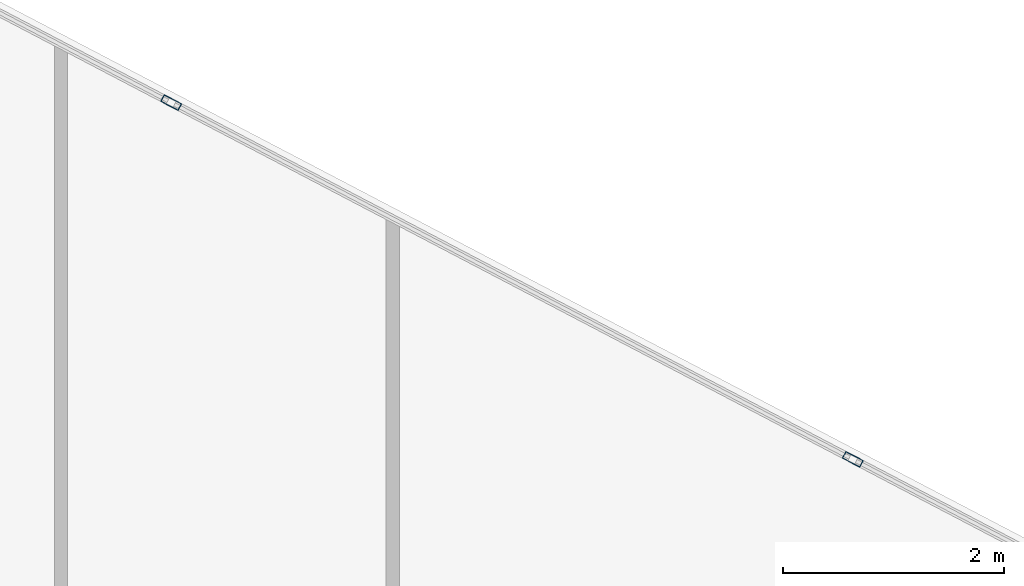
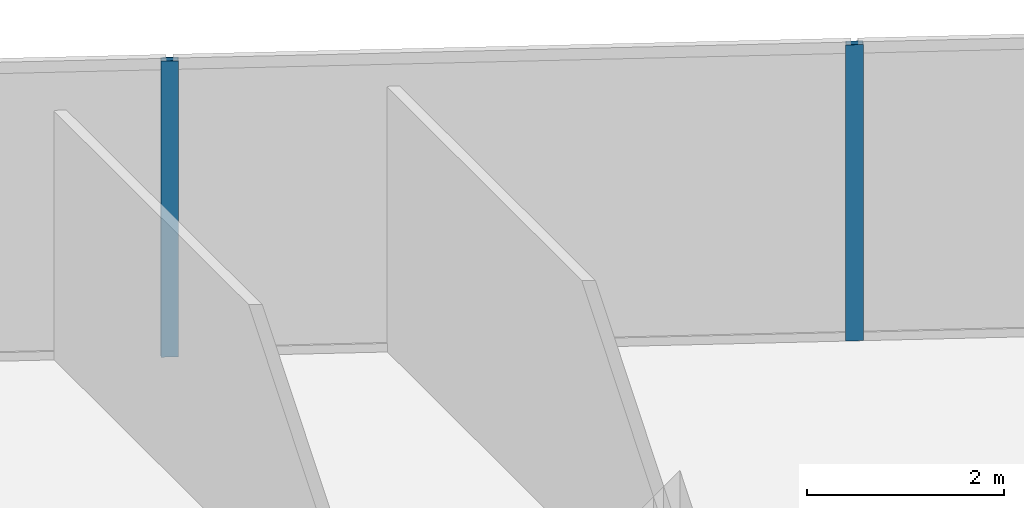
# One storey, part 19 of 27: 2 members, 1 element without a shape of its own.
"""IFC4 building model written with IfcOpenShell, lengths in metres."""

from ifc_helpers import new_model, si_unit, direction, frame, origin, origin_2d, place, context, subcontext, project, spatial, hollow_rectangle, extrude, source, transform, mapped, material, material_profile, profile_set, type_object, type_shapes, element, aggregate, save


model = new_model("IFC4")

# Units and contexts
model_context = context("Model", 3, precision=1e-05, world=origin(), true_north=direction((0.0, 1.0)))
body_context = subcontext(model_context, "Body", "Model", "MODEL_VIEW")
ifc_project = project(units=[si_unit("LENGTHUNIT", "METRE"), si_unit("AREAUNIT", "SQUARE_METRE"), si_unit("VOLUMEUNIT", "CUBIC_METRE"), si_unit("PLANEANGLEUNIT", "RADIAN"), si_unit("MASSUNIT", "GRAM", prefix="KILO")], contexts=[model_context])

# Site, building, storey
site_placement = place(None, origin())
site = spatial("IfcSite", under=ifc_project, at=site_placement, CompositionType="ELEMENT")
building_placement = place(site_placement, origin())
building = spatial("IfcBuilding", under=site, at=building_placement, Name="Krantzveldt Concourse Tower", CompositionType="ELEMENT")
storey_placement = place(building_placement, frame((0.0, 0.0, 150.14990234375)))
storey = spatial("IfcBuildingStorey", under=building, at=storey_placement, Name="L36", CompositionType="ELEMENT", Elevation=150.14990234375)

# Curtain wall, members
ifc_material = material(Name="Anodised aluminium 6063-T6", Category="aluminium")
curtain_wall_type = type_object("IfcCurtainWallType", Name="CW3", PredefinedType="USERDEFINED", material=ifc_material)
curtain_wall_placement = place(storey_placement, origin())
curtain_wall = element("IfcCurtainWall", 1, at=curtain_wall_placement, inside=storey, type_object=curtain_wall_type, Name="CW-L36-F10", ObjectType="UNITISED CURTAIN WALL", PredefinedType="USERDEFINED")
ifc_material_profile = material_profile(ifc_material, hollow_rectangle(XDim=0.070068359375, YDim=0.179931640625, WallThickness=0.0048828125, at=origin_2d()), Name="Anodised aluminium 6063-T6", Category="aluminium")
ifc_profile_set = profile_set([ifc_material_profile], Name="Anodised aluminium 6063-T6 - ALU-MULL 180x70x5")
member_type = type_object("IfcMemberType", Name="CW-MUL-180", PredefinedType="MULLION", material=ifc_profile_set)
shared_shape = source(origin(), body_context, "Body", "SweptSolid", [
    extrude(hollow_rectangle(XDim=0.070068359375, YDim=0.179931640625, WallThickness=0.0048828125, at=origin_2d()), origin(), (0.0, 0.0, 1.0), 3.670166015625),
])
type_shapes(member_type, [shared_shape])
member_1_placement = place(storey_placement, frame((55.36279296875, 41.182861328125, 0.0), z_axis=(0.0, 0.0, 1.0), x_axis=(-0.463682819502, -0.886001265743, 0.0)))
member_1 = element("IfcMember", 2, at=member_1_placement, type_object=member_type, Name="CW-Z34 mullion 2", PredefinedType="MULLION", context=body_context, shape_type="MappedRepresentation", body=[
    mapped(shared_shape, transform((0.0, 0.0, 0.0), x_axis=(1.0, 0.0, 0.0), y_axis=(0.0, 1.0, 0.0), z_axis=(0.0, 0.0, 1.0), scale=1.0)),
])
member_2_placement = place(storey_placement, frame((49.1962890625, 44.41015625, 0.0), z_axis=(0.0, 0.0, 1.0), x_axis=(-0.463682819502, -0.886001265743, 0.0)))
member_2 = element("IfcMember", 3, at=member_2_placement, type_object=member_type, Name="CW-Z34 mullion 3", PredefinedType="MULLION", context=body_context, shape_type="MappedRepresentation", body=[
    mapped(shared_shape, transform((0.0, 0.0, 0.0), x_axis=(1.0, 0.0, 0.0), y_axis=(0.0, 1.0, 0.0), z_axis=(0.0, 0.0, 1.0), scale=1.0)),
])
aggregate(curtain_wall, [member_1, member_2])

save(model, "model.ifc")
